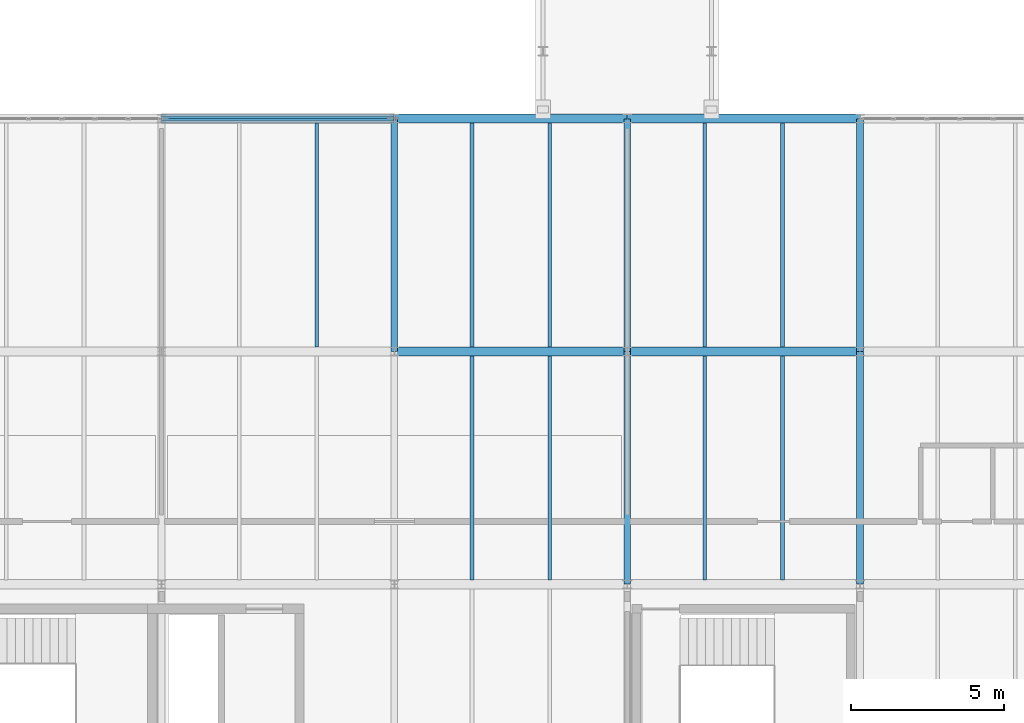
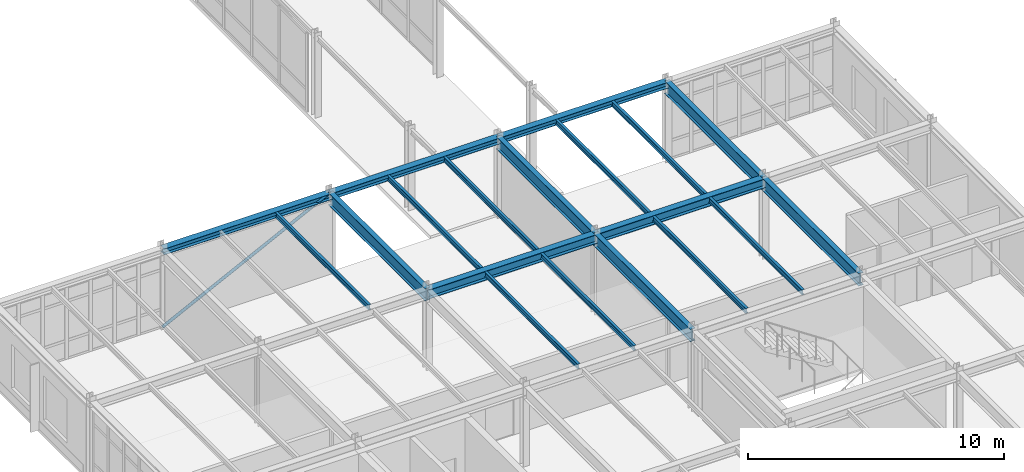
# One storey, part 34 of 165: 19 beams, 1 member.
"""IFC4 building model written with IfcOpenShell, lengths in metres."""

from ifc_helpers import new_model, si_unit, direction, frame, origin, origin_2d, place, context, subcontext, project, spatial, hollow_circle, i_section, extrude, material, material_profile, profile_set, type_object, element, save


model = new_model("IFC4")

# Units and contexts
model_context = context("Model", 3, precision=1e-05, world=origin(), true_north=direction((0.0, 1.0)))
body_context = subcontext(model_context, "Body", "Model", "MODEL_VIEW")
ifc_project = project(units=[si_unit("LENGTHUNIT", "METRE"), si_unit("AREAUNIT", "SQUARE_METRE"), si_unit("VOLUMEUNIT", "CUBIC_METRE"), si_unit("PLANEANGLEUNIT", "RADIAN"), si_unit("MASSUNIT", "GRAM", prefix="KILO")], contexts=[model_context])

# Site, building, storey
site_placement = place(None, origin())
site = spatial("IfcSite", under=ifc_project, at=site_placement, CompositionType="ELEMENT")
building_placement = place(site_placement, origin())
building = spatial("IfcBuilding", under=site, at=building_placement, Name="Montecoro Central Library", CompositionType="ELEMENT")
storey_placement = place(building_placement, frame((0.0, 0.0, 5.10009765625)))
storey = spatial("IfcBuildingStorey", under=building, at=storey_placement, Name="L01", CompositionType="ELEMENT", Elevation=5.10009765625)

# Beams
ifc_material_1 = material(Name="Steel S355J2", Category="steel")
ifc_material_profile_1 = material_profile(ifc_material_1, i_section(OverallWidth=0.300048828125, OverallDepth=0.43994140625, WebThickness=0.011474609375, FlangeThickness=0.02099609375, at=origin_2d()), Name="HEA 450")
ifc_profile_set_1 = profile_set([ifc_material_profile_1], Name="Steel S355J2")
beam_type_1 = type_object("IfcBeamType", Name="BM-G-HEA450", PredefinedType="USERDEFINED", material=ifc_profile_set_1)
beam_1_placement = place(storey_placement, frame((20.205078125, 27.800048828125, 3.60498046875), z_axis=(1.0, 0.0, 0.0), x_axis=(0.0, 1.0, 0.0)))
element("IfcBeam", 1, at=beam_1_placement, inside=storey, type_object=beam_type_1, Name="V3-L01-BX-34-D", ObjectType="GIRDER", PredefinedType="USERDEFINED", context=body_context, shape_type="SweptSolid", body=[
    extrude(i_section(OverallWidth=0.300048828125, OverallDepth=0.43994140625, WebThickness=0.011474609375, FlangeThickness=0.02099609375, at=origin_2d()), origin(), (0.0, 0.0, 1.0), 7.58984375),
])
beam_2_placement = place(storey_placement, frame((27.804931640625, 27.800048828125, 3.60498046875), z_axis=(1.0, 0.0, 0.0), x_axis=(0.0, 1.0, 0.0)))
element("IfcBeam", 2, at=beam_2_placement, inside=storey, type_object=beam_type_1, Name="V3-L01-BX-45-D", ObjectType="GIRDER", PredefinedType="USERDEFINED", context=body_context, shape_type="SweptSolid", body=[
    extrude(i_section(OverallWidth=0.300048828125, OverallDepth=0.43994140625, WebThickness=0.011474609375, FlangeThickness=0.02099609375, at=origin_2d()), origin(), (0.0, 0.0, 1.0), 7.590087890625),
])
ifc_material_profile_2 = material_profile(ifc_material_1, i_section(OverallWidth=0.219970703125, OverallDepth=0.60009765625, WebThickness=0.011962890625, FlangeThickness=0.01904296875, at=origin_2d()), Name="IPE 600")
ifc_profile_set_2 = profile_set([ifc_material_profile_2], Name="Steel S355J2")
beam_type_2 = type_object("IfcBeamType", Name="BM-G-IPE600", PredefinedType="USERDEFINED", material=ifc_profile_set_2)
beam_3_placement = place(storey_placement, frame((20.199951171875, 27.804931640625, 3.52490234375), z_axis=(0.0, 1.0, 0.0), x_axis=(-1.0, 0.0, 0.0)))
element("IfcBeam", 3, at=beam_3_placement, inside=storey, type_object=beam_type_2, Name="V3-L01-BY-3-DE", ObjectType="GIRDER", PredefinedType="USERDEFINED", context=body_context, shape_type="SweptSolid", body=[
    extrude(i_section(OverallWidth=0.219970703125, OverallDepth=0.60009765625, WebThickness=0.011962890625, FlangeThickness=0.01904296875, at=origin_2d()), origin(), (0.0, 0.0, 1.0), 7.590087890625),
])
beam_4_placement = place(storey_placement, frame((27.800048828125, 20.205078125, 3.52490234375), z_axis=(0.0, 1.0, 0.0), x_axis=(-1.0, 0.0, 0.0)))
element("IfcBeam", 4, at=beam_4_placement, inside=storey, type_object=beam_type_2, Name="V3-L01-BY-4-CD", ObjectType="GIRDER", PredefinedType="USERDEFINED", context=body_context, shape_type="SweptSolid", body=[
    extrude(i_section(OverallWidth=0.219970703125, OverallDepth=0.60009765625, WebThickness=0.011962890625, FlangeThickness=0.01904296875, at=origin_2d()), origin(), (0.0, 0.0, 1.0), 7.58984375),
])
beam_5_placement = place(storey_placement, frame((27.800048828125, 27.804931640625, 3.52490234375), z_axis=(0.0, 1.0, 0.0), x_axis=(-1.0, 0.0, 0.0)))
element("IfcBeam", 5, at=beam_5_placement, inside=storey, type_object=beam_type_2, Name="V3-L01-BY-4-DE", ObjectType="GIRDER", PredefinedType="USERDEFINED", context=body_context, shape_type="SweptSolid", body=[
    extrude(i_section(OverallWidth=0.219970703125, OverallDepth=0.60009765625, WebThickness=0.011962890625, FlangeThickness=0.01904296875, at=origin_2d()), origin(), (0.0, 0.0, 1.0), 7.590087890625),
])
beam_6_placement = place(storey_placement, frame((35.39990234375, 20.205078125, 3.52490234375), z_axis=(0.0, 1.0, 0.0), x_axis=(-1.0, 0.0, 0.0)))
element("IfcBeam", 6, at=beam_6_placement, inside=storey, type_object=beam_type_2, Name="V3-L01-BY-5-CD", ObjectType="GIRDER", PredefinedType="USERDEFINED", context=body_context, shape_type="SweptSolid", body=[
    extrude(i_section(OverallWidth=0.219970703125, OverallDepth=0.60009765625, WebThickness=0.011962890625, FlangeThickness=0.01904296875, at=origin_2d()), origin(), (0.0, 0.0, 1.0), 7.58984375),
])
beam_7_placement = place(storey_placement, frame((35.39990234375, 27.804931640625, 3.52490234375), z_axis=(0.0, 1.0, 0.0), x_axis=(-1.0, 0.0, 0.0)))
element("IfcBeam", 7, at=beam_7_placement, inside=storey, type_object=beam_type_2, Name="V3-L01-BY-5-DE", ObjectType="GIRDER", PredefinedType="USERDEFINED", context=body_context, shape_type="SweptSolid", body=[
    extrude(i_section(OverallWidth=0.219970703125, OverallDepth=0.60009765625, WebThickness=0.011962890625, FlangeThickness=0.01904296875, at=origin_2d()), origin(), (0.0, 0.0, 1.0), 7.590087890625),
])
ifc_material_2 = material(Name="Steel S355", Category="steel")
ifc_material_profile_3 = material_profile(ifc_material_2, i_section(OverallWidth=0.1201171875, OverallDepth=0.239990234375, WebThickness=0.006103515625, FlangeThickness=0.009765625, at=origin_2d()), Name="IPE 240")
ifc_profile_set_3 = profile_set([ifc_material_profile_3], Name="Steel S355")
beam_type_3 = type_object("IfcBeamType", Name="BM-J-IPE240", PredefinedType="JOIST", material=ifc_profile_set_3)
beam_8_placement = place(storey_placement, frame((17.6669921875, 27.947021484375, 3.704833984375), z_axis=(0.0, 1.0, 0.0), x_axis=(-1.0, 0.0, 0.0)))
element("IfcBeam", 8, at=beam_8_placement, inside=storey, type_object=beam_type_3, Name="V3-L01-JS-23-DE-2", PredefinedType="JOIST", context=body_context, shape_type="SweptSolid", body=[
    extrude(i_section(OverallWidth=0.1201171875, OverallDepth=0.239990234375, WebThickness=0.006103515625, FlangeThickness=0.009765625, at=origin_2d()), origin(), (0.0, 0.0, 1.0), 7.305908203125),
])
for number, where, z_axis, x_axis, name in (
    (9, (22.73291015625, 20.346923828125, 3.704833984375), (0.0, 1.0, 0.0), (-1.0, 0.0, 0.0), "V3-L01-JS-34-CD-1"),
    (10, (25.26708984375, 20.346923828125, 3.704833984375), (0.0, 1.0, 0.0), (-1.0, 0.0, 0.0), "V3-L01-JS-34-CD-2"),
):
    element("IfcBeam", number, at=place(storey_placement, frame(where, z_axis=z_axis, x_axis=x_axis)), inside=storey, type_object=beam_type_3, Name=name, PredefinedType="JOIST", context=body_context, shape_type="SweptSolid", body=[
        extrude(i_section(OverallWidth=0.1201171875, OverallDepth=0.239990234375, WebThickness=0.006103515625, FlangeThickness=0.009765625, at=origin_2d()), origin(), (0.0, 0.0, 1.0), 7.30615234375),
    ])
for number, where, z_axis, x_axis, name in (
    (11, (22.73291015625, 27.947021484375, 3.704833984375), (0.0, 1.0, 0.0), (-1.0, 0.0, 0.0), "V3-L01-JS-34-DE-1"),
    (12, (25.26708984375, 27.947021484375, 3.704833984375), (0.0, 1.0, 0.0), (-1.0, 0.0, 0.0), "V3-L01-JS-34-DE-2"),
):
    element("IfcBeam", number, at=place(storey_placement, frame(where, z_axis=z_axis, x_axis=x_axis)), inside=storey, type_object=beam_type_3, Name=name, PredefinedType="JOIST", context=body_context, shape_type="SweptSolid", body=[
        extrude(i_section(OverallWidth=0.1201171875, OverallDepth=0.239990234375, WebThickness=0.006103515625, FlangeThickness=0.009765625, at=origin_2d()), origin(), (0.0, 0.0, 1.0), 7.305908203125),
    ])
for number, where, z_axis, x_axis, name in (
    (13, (30.3330078125, 20.346923828125, 3.704833984375), (0.0, 1.0, 0.0), (-1.0, 0.0, 0.0), "V3-L01-JS-45-CD-1"),
    (14, (32.866943359375, 20.346923828125, 3.704833984375), (0.0, 1.0, 0.0), (-1.0, 0.0, 0.0), "V3-L01-JS-45-CD-2"),
):
    element("IfcBeam", number, at=place(storey_placement, frame(where, z_axis=z_axis, x_axis=x_axis)), inside=storey, type_object=beam_type_3, Name=name, PredefinedType="JOIST", context=body_context, shape_type="SweptSolid", body=[
        extrude(i_section(OverallWidth=0.1201171875, OverallDepth=0.239990234375, WebThickness=0.006103515625, FlangeThickness=0.009765625, at=origin_2d()), origin(), (0.0, 0.0, 1.0), 7.30615234375),
    ])
for number, where, z_axis, x_axis, name in (
    (15, (30.3330078125, 27.947021484375, 3.704833984375), (0.0, 1.0, 0.0), (-1.0, 0.0, 0.0), "V3-L01-JS-45-DE-1"),
    (16, (32.866943359375, 27.947021484375, 3.704833984375), (0.0, 1.0, 0.0), (-1.0, 0.0, 0.0), "V3-L01-JS-45-DE-2"),
):
    element("IfcBeam", number, at=place(storey_placement, frame(where, z_axis=z_axis, x_axis=x_axis)), inside=storey, type_object=beam_type_3, Name=name, PredefinedType="JOIST", context=body_context, shape_type="SweptSolid", body=[
        extrude(i_section(OverallWidth=0.1201171875, OverallDepth=0.239990234375, WebThickness=0.006103515625, FlangeThickness=0.009765625, at=origin_2d()), origin(), (0.0, 0.0, 1.0), 7.305908203125),
    ])
ifc_material_profile_4 = material_profile(ifc_material_2, i_section(OverallWidth=0.300048828125, OverallDepth=0.2900390625, WebThickness=0.008544921875, FlangeThickness=0.013916015625, at=origin_2d()), Name="HEA 300")
ifc_profile_set_4 = profile_set([ifc_material_profile_4], Name="Steel S355")
beam_type_4 = type_object("IfcBeamType", Name="BM-SP-HEA300", PredefinedType="SPANDREL", material=ifc_profile_set_4)
beam_9_placement = place(storey_placement, frame((12.60498046875, 35.39990234375, 3.679931640625), z_axis=(1.0, 0.0, 0.0), x_axis=(0.0, 1.0, 0.0)))
element("IfcBeam", 17, at=beam_9_placement, inside=storey, type_object=beam_type_4, Name="V3-L01-BX-23-E", PredefinedType="SPANDREL", context=body_context, shape_type="SweptSolid", body=[
    extrude(i_section(OverallWidth=0.300048828125, OverallDepth=0.2900390625, WebThickness=0.008544921875, FlangeThickness=0.013916015625, at=origin_2d()), origin(), (0.0, 0.0, 1.0), 7.590087890625),
])
beam_10_placement = place(storey_placement, frame((20.205078125, 35.39990234375, 3.679931640625), z_axis=(1.0, 0.0, 0.0), x_axis=(0.0, 1.0, 0.0)))
element("IfcBeam", 18, at=beam_10_placement, inside=storey, type_object=beam_type_4, Name="V3-L01-BX-34-E", PredefinedType="SPANDREL", context=body_context, shape_type="SweptSolid", body=[
    extrude(i_section(OverallWidth=0.300048828125, OverallDepth=0.2900390625, WebThickness=0.008544921875, FlangeThickness=0.013916015625, at=origin_2d()), origin(), (0.0, 0.0, 1.0), 7.58984375),
])
beam_11_placement = place(storey_placement, frame((27.804931640625, 35.39990234375, 3.679931640625), z_axis=(1.0, 0.0, 0.0), x_axis=(0.0, 1.0, 0.0)))
element("IfcBeam", 19, at=beam_11_placement, inside=storey, type_object=beam_type_4, Name="V3-L01-BX-45-E", PredefinedType="SPANDREL", context=body_context, shape_type="SweptSolid", body=[
    extrude(i_section(OverallWidth=0.300048828125, OverallDepth=0.2900390625, WebThickness=0.008544921875, FlangeThickness=0.013916015625, at=origin_2d()), origin(), (0.0, 0.0, 1.0), 7.590087890625),
])

# Member
ifc_material_profile_5 = material_profile(ifc_material_2, hollow_circle(Radius=0.06982421875, WallThickness=0.00634765625, at=origin_2d()), Name="CHS 139.7x6.3")
ifc_profile_set_5 = profile_set([ifc_material_profile_5], Name="Steel S355")
member_type = type_object("IfcMemberType", Name="MB-BR-CHS140", PredefinedType="BRACE", material=ifc_profile_set_5)
member_placement = place(storey_placement, frame((12.60009765625, 35.39990234375, 0.010009765625), z_axis=(0.894662738831, 0.0, 0.446742189353), x_axis=(0.0, 1.0, 0.0)))
element("IfcMember", 20, at=member_placement, inside=storey, type_object=member_type, Name="V3-L01-BRN1", PredefinedType="BRACE", context=body_context, shape_type="SweptSolid", body=[
    extrude(hollow_circle(Radius=0.06982421875, WallThickness=0.00634765625, at=origin_2d()), origin(), (0.0, 0.0, 1.0), 8.49462890625),
])

save(model, "model.ifc")
